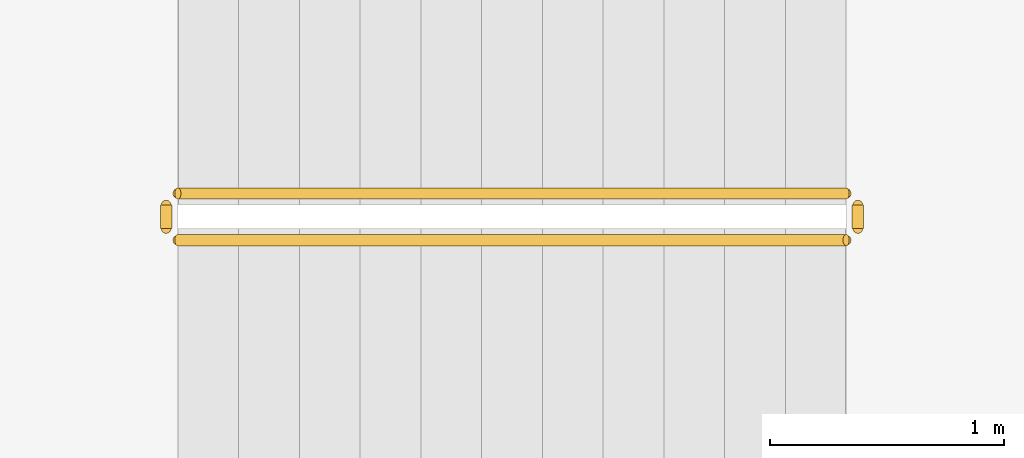
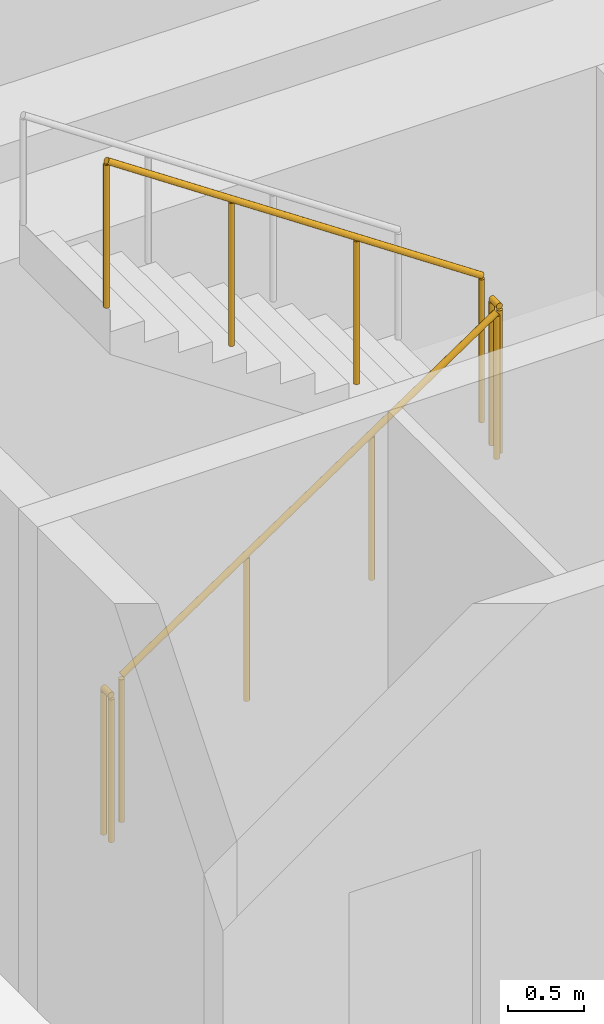
# One storey, part 21 of 25: 4 railings.
"""IFC4 building model written with IfcOpenShell, lengths in metres."""

from ifc_helpers import new_model, si_unit, direction, frame, origin, origin_2d, place, context, subcontext, project, spatial, circle, extrude, material, type_object, element, save


model = new_model("IFC4")

# Units and contexts
model_context = context("Model", 3, precision=1e-05, world=origin(), true_north=direction((0.0, 1.0)))
body_context = subcontext(model_context, "Body", "Model", "MODEL_VIEW")
ifc_project = project(units=[si_unit("LENGTHUNIT", "METRE"), si_unit("AREAUNIT", "SQUARE_METRE"), si_unit("VOLUMEUNIT", "CUBIC_METRE"), si_unit("PLANEANGLEUNIT", "RADIAN"), si_unit("MASSUNIT", "GRAM", prefix="KILO")], contexts=[model_context])

# Site, building, storey
site_placement = place(None, origin())
site = spatial("IfcSite", under=ifc_project, at=site_placement, CompositionType="ELEMENT")
building_placement = place(site_placement, origin())
building = spatial("IfcBuilding", under=site, at=building_placement, Name="Sahrelin Media Tower", CompositionType="ELEMENT")
storey_placement = place(building_placement, frame((0.0, 0.0, 144.0)))
storey = spatial("IfcBuildingStorey", under=building, at=storey_placement, Name="L29", CompositionType="ELEMENT", Elevation=144.0)

# Railings
ifc_material = material(Name="Steel S355", Category="steel")
railing_type = type_object("IfcRailingType", Name="Stair guard 1200", PredefinedType="GUARDRAIL", material=ifc_material)
railing_1_placement = place(storey_placement, frame((-7.675048828125, 5.25, 0.175048828125)))
element("IfcRailing", 1, at=railing_1_placement, inside=storey, type_object=railing_type, Name="L29 ST1 stair guard 1", PredefinedType="GUARDRAIL", context=body_context, shape_type="SweptSolid", body=[
    extrude(circle(Radius=0.02392578125, at=origin_2d()), frame((0.0, 0.0, 1.17578125), z_axis=(0.829590901723, 0.0, 0.558371682465), x_axis=(0.0, 1.0, 0.0)), (0.0, 0.0, 1.0), 3.447509765625),
    extrude(circle(Radius=0.02099609375, at=origin_2d()), origin(), (0.0, 0.0, 1.0), 1.15185546875),
    extrude(circle(Radius=0.02099609375, at=origin_2d()), frame((0.953369140625, 0.0, 0.6416015625)), (0.0, 0.0, 1.0), 1.15185546875),
    extrude(circle(Radius=0.02099609375, at=origin_2d()), frame((1.90673828125, 0.0, 1.283447265625)), (0.0, 0.0, 1.0), 1.15185546875),
    extrude(circle(Radius=0.02099609375, at=origin_2d()), frame((2.860107421875, 0.0, 1.925048828125)), (0.0, 0.0, 1.0), 1.15185546875),
])
railing_2_placement = place(storey_placement, frame((-4.764892578125, 5.300048828125, 2.10009765625)))
element("IfcRailing", 2, at=railing_2_placement, inside=storey, type_object=railing_type, Name="L29 ST1 stair guard 2", PredefinedType="GUARDRAIL", context=body_context, shape_type="SweptSolid", body=[
    extrude(circle(Radius=0.02392578125, at=origin_2d()), frame((0.0, 0.0, 1.17578125), z_axis=(0.0, 1.0, 0.0), x_axis=(-1.0, 0.0, 0.0)), (0.0, 0.0, 1.0), 0.099853515625),
    extrude(circle(Radius=0.02099609375, at=origin_2d()), origin(), (0.0, 0.0, 1.0), 1.15185546875),
    extrude(circle(Radius=0.02099609375, at=origin_2d()), frame((0.0, 0.099853515625, 0.0)), (0.0, 0.0, 1.0), 1.15185546875),
])
railing_3_placement = place(storey_placement, frame((-4.81494140625, 5.449951171875, 2.27490234375)))
element("IfcRailing", 3, at=railing_3_placement, inside=storey, type_object=railing_type, Name="L29 ST1 stair guard 3", PredefinedType="GUARDRAIL", context=body_context, shape_type="SweptSolid", body=[
    extrude(circle(Radius=0.02392578125, at=origin_2d()), frame((0.0, 0.0, 1.17578125), z_axis=(-0.829590901723, 0.0, 0.558371682465), x_axis=(0.0, -1.0, 0.0)), (0.0, 0.0, 1.0), 3.447509765625),
    extrude(circle(Radius=0.02099609375, at=origin_2d()), origin(), (0.0, 0.0, 1.0), 1.15185546875),
    extrude(circle(Radius=0.02099609375, at=origin_2d()), frame((-0.953369140625, 0.0, 0.6416015625)), (0.0, 0.0, 1.0), 1.15185546875),
    extrude(circle(Radius=0.02099609375, at=origin_2d()), frame((-1.90673828125, 0.0, 1.283447265625)), (0.0, 0.0, 1.0), 1.15185546875),
    extrude(circle(Radius=0.02099609375, at=origin_2d()), frame((-2.860107421875, 0.0, 1.925048828125)), (0.0, 0.0, 1.0), 1.15185546875),
])
railing_4_placement = place(storey_placement, frame((-7.72509765625, 5.300048828125, 0.0)))
element("IfcRailing", 4, at=railing_4_placement, inside=storey, type_object=railing_type, Name="L29 ST1 stair guard 4", PredefinedType="GUARDRAIL", context=body_context, shape_type="SweptSolid", body=[
    extrude(circle(Radius=0.02392578125, at=origin_2d()), frame((0.0, 0.0, 1.17578125), z_axis=(0.0, 1.0, 0.0), x_axis=(-1.0, 0.0, 0.0)), (0.0, 0.0, 1.0), 0.099853515625),
    extrude(circle(Radius=0.02099609375, at=origin_2d()), origin(), (0.0, 0.0, 1.0), 1.15185546875),
    extrude(circle(Radius=0.02099609375, at=origin_2d()), frame((0.0, 0.099853515625, 0.0)), (0.0, 0.0, 1.0), 1.15185546875),
])

save(model, "model.ifc")
